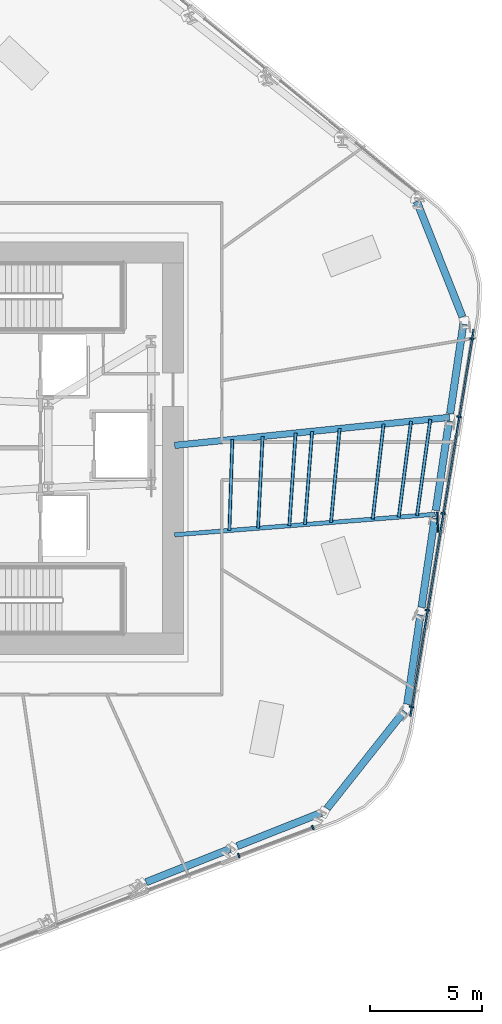
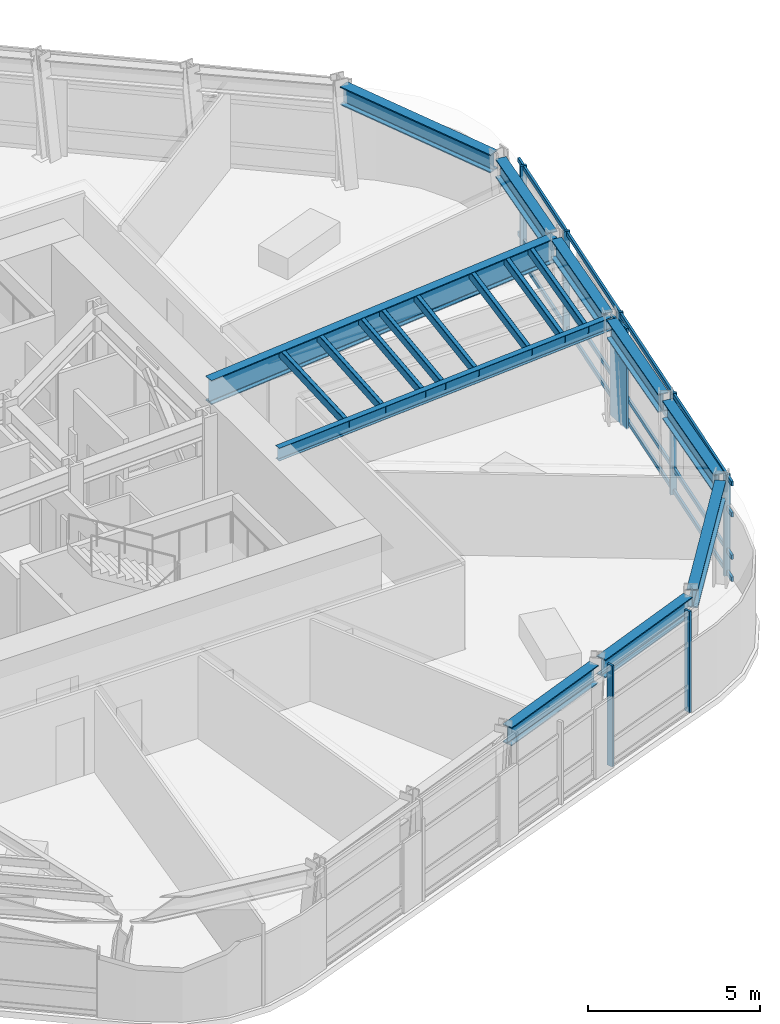
# One storey, part 5 of 18: 20 members, 10 beams, 2 elements without a shape of their own.
"""IFC4 building model written with IfcOpenShell, lengths in metres."""

import ifcopenshell
import ifcopenshell.guid

model = None  # the IFC model being written
_history = None  # IfcOwnerHistory: only IFC2X3 demands one
_inside = {}  # id of a spatial element -> (the spatial element, [elements in it])
_under = {}  # id of a project, library or spatial element -> (it, [spatial elements below it])
_declared = {}  # id of a project -> (the project, [libraries it declares])
_typed = {}  # id of a type object -> (the type object, [elements of that type])
_made_of = {}  # id of a material, layer set ... -> (it, [elements and type objects made of it])


def new_model(schema):
    """Start an empty IFC model of exactly this schema.

    Asked for "IFC4X3", IfcOpenShell would pick the latest addendum, in which some entities
    have other attributes; the version numbers below select the first issue.
    IFC2X3 requires an IfcOwnerHistory on every rooted entity: one is made here for all.
    """
    global model, _history
    if schema == "IFC4X3":
        model = ifcopenshell.file(schema_version=(4, 3, 0, 0))
    else:
        model = ifcopenshell.file(schema=schema)
    _inside.clear()
    _under.clear()
    _declared.clear()
    _typed.clear()
    _made_of.clear()
    _history = None
    if model.schema == "IFC2X3":
        org = make("IfcOrganization", Name="unknown")
        user = make(
            "IfcPersonAndOrganization",
            ThePerson=make("IfcPerson", FamilyName="unknown"),
            TheOrganization=org,
        )
        app = make(
            "IfcApplication",
            ApplicationDeveloper=org,
            Version="unknown",
            ApplicationFullName="unknown",
            ApplicationIdentifier="unknown",
        )
        _history = make(
            "IfcOwnerHistory",
            OwningUser=user,
            OwningApplication=app,
            ChangeAction="ADDED",
            CreationDate=0,
        )
    return model


def make(cls, **values):
    """One entity of the class cls with the attributes given. An attribute that is None is left unset."""
    return model.create_entity(
        cls, **{name: value for name, value in values.items() if value is not None}
    )


def rooted(cls, **values):
    """An entity with a GlobalId (a new one), such as an element, a storey or a relation."""
    return make(cls, GlobalId=ifcopenshell.guid.new(), OwnerHistory=_history, **values)


def si_unit(unit_type, name, prefix=None):
    """IfcSIUnit, for example si_unit("LENGTHUNIT", "METRE", prefix="MILLI")."""
    return make("IfcSIUnit", UnitType=unit_type, Prefix=prefix, Name=name)


def assignment(units):
    """IfcUnitAssignment: the units of a project."""
    return None if units is None else make("IfcUnitAssignment", Units=units)


def point(xyz):
    """IfcCartesianPoint."""
    return None if xyz is None else make("IfcCartesianPoint", Coordinates=xyz)


def direction(xyz):
    """IfcDirection."""
    return None if xyz is None else make("IfcDirection", DirectionRatios=xyz)


def frame(location, z_axis=None, x_axis=None):
    """IfcAxis2Placement3D, a coordinate frame: its origin and axes. An axis left out is left unset."""
    return make(
        "IfcAxis2Placement3D",
        Location=point(location),
        Axis=direction(z_axis),
        RefDirection=direction(x_axis),
    )


def frame_2d(location, x_axis=None):
    """IfcAxis2Placement2D, a coordinate frame in the plane: its origin and x axis."""
    return make(
        "IfcAxis2Placement2D", Location=point(location), RefDirection=direction(x_axis)
    )


def origin():
    """The frame at (0, 0, 0) with its axes left unset."""
    return frame((0.0, 0.0, 0.0))


def origin_2d():
    """The frame at (0, 0) in the plane with its x axis left unset."""
    return frame_2d((0.0, 0.0))


def place(relative_to, where):
    """IfcLocalPlacement: puts the frame where relative to a parent placement (None: the world)."""
    return make(
        "IfcLocalPlacement", PlacementRelTo=relative_to, RelativePlacement=where
    )


def context(
    kind, dimensions, precision=None, world=None, true_north=None, identifier=None
):
    """IfcGeometricRepresentationContext, for example the 3D "Model" context."""
    return make(
        "IfcGeometricRepresentationContext",
        ContextIdentifier=identifier,
        ContextType=kind,
        CoordinateSpaceDimension=dimensions,
        Precision=precision,
        WorldCoordinateSystem=world,
        TrueNorth=true_north,
    )


def subcontext(parent, identifier, kind, view, scale=None):
    """IfcGeometricRepresentationSubContext, for example "Body" below "Model"."""
    return make(
        "IfcGeometricRepresentationSubContext",
        ContextIdentifier=identifier,
        ContextType=kind,
        ParentContext=parent,
        TargetScale=scale,
        TargetView=view,
    )


def project(units=None, contexts=None):
    """IfcProject with its units and contexts."""
    return rooted(
        "IfcProject",
        Name="project",
        RepresentationContexts=contexts,
        UnitsInContext=assignment(units),
    )


def spatial(cls, under=None, at=None, **own):
    """A site, building, storey or space (cls), placed at a placement, below another one or the project."""
    s = rooted(cls, ObjectPlacement=at, **own)
    if under is not None:
        _under.setdefault(under.id(), (under, []))[1].append(s)
    return s


def profile(cls, at=None, kind="AREA", **sizes):
    """A parametric profile (cls). Its sizes go by their IFC names, for example OverallWidth=200.0."""
    return make(cls, ProfileType=kind, Position=at, **sizes)


def rectangle(**sizes):
    """IfcRectangleProfileDef."""
    return profile("IfcRectangleProfileDef", **sizes)


def hollow_rectangle(**sizes):
    """IfcRectangleHollowProfileDef."""
    return profile("IfcRectangleHollowProfileDef", **sizes)


def i_section(**sizes):
    """IfcIShapeProfileDef."""
    return profile("IfcIShapeProfileDef", **sizes)


def extrude(swept, where, along, depth):
    """IfcExtrudedAreaSolid: the profile swept, set in the frame where, extruded along a direction by depth."""
    return make(
        "IfcExtrudedAreaSolid",
        SweptArea=swept,
        Position=where,
        ExtrudedDirection=direction(along),
        Depth=depth,
    )


def shape(context_of_items, identifier, shape_type, items):
    """IfcShapeRepresentation: the items that make up one representation, for example the "Body"."""
    return make(
        "IfcShapeRepresentation",
        ContextOfItems=context_of_items,
        RepresentationIdentifier=identifier,
        RepresentationType=shape_type,
        Items=items,
    )


def material(Name=None, Category=None):
    """IfcMaterial."""
    return make("IfcMaterial", Name=Name, Category=Category)


def layer(
    of_material, thickness, ventilated=None, Name=None, Category=None, Priority=None
):
    """IfcMaterialLayer: one layer of a wall or slab, of a material (None: an air gap)."""
    return make(
        "IfcMaterialLayer",
        Material=of_material,
        LayerThickness=thickness,
        IsVentilated=ventilated,
        Name=Name,
        Category=Category,
        Priority=Priority,
    )


def layer_set(layers, Name=None):
    """IfcMaterialLayerSet."""
    return make("IfcMaterialLayerSet", MaterialLayers=layers, LayerSetName=Name)


def material_profile(
    of_material, cross_section, Name=None, Category=None, Priority=None
):
    """IfcMaterialProfile: a cross section and its material."""
    return make(
        "IfcMaterialProfile",
        Name=Name,
        Material=of_material,
        Profile=cross_section,
        Priority=Priority,
        Category=Category,
    )


def profile_set(profiles, Name=None, composite=None):
    """IfcMaterialProfileSet."""
    return make(
        "IfcMaterialProfileSet",
        Name=Name,
        MaterialProfiles=profiles,
        CompositeProfile=composite,
    )


def made_of(thing, what):
    """Note that an element or type object is made of a material, layer set ...; save() writes the relation."""
    if what is not None:
        _made_of.setdefault(what.id(), (what, []))[1].append(thing)
    return thing


def type_object(cls, material=None, **own):
    """A type object (cls), such as IfcWallType, which elements share."""
    return made_of(rooted(cls, **own), material)


def element(
    cls,
    number,
    at=None,
    inside=None,
    cuts=None,
    type_object=None,
    material=None,
    context=None,
    identifier="Body",
    shape_type=None,
    held_by="IfcProductDefinitionShape",
    body=None,
    shapes=None,
    **own,
):
    """One element of the class cls, such as IfcWall. Its Tag is "e" and its number.

    at: its placement. inside: the storey or other place that contains it. cuts: it is an
    opening in that element (IfcRelVoidsElement). A single representation is given by context,
    identifier, shape_type and body (its items); several are given by shapes. held_by: the class
    of the entity that holds the representations. save() writes the other relations.
    """
    e = rooted(cls, Tag="e%d" % number, ObjectPlacement=at, **own)
    if body is not None:
        shapes = [shape(context, identifier, shape_type, body)]
    if shapes is not None:
        e.Representation = make(held_by, Representations=shapes)
    if inside is not None:
        _inside.setdefault(inside.id(), (inside, []))[1].append(e)
    if cuts is not None:
        rooted(
            "IfcRelVoidsElement", RelatingBuildingElement=cuts, RelatedOpeningElement=e
        )
    if type_object is not None:
        _typed.setdefault(type_object.id(), (type_object, []))[1].append(e)
    return made_of(e, material)


def aggregate(whole, parts):
    """IfcRelAggregates: a whole, such as a stair, and the parts it consists of."""
    return rooted("IfcRelAggregates", RelatingObject=whole, RelatedObjects=parts)


def save(model, path):
    """Write the relations noted so far, then the file.

    IfcRelAggregates (storeys below a building ...), IfcRelContainedInSpatialStructure (elements
    in a storey), IfcRelDefinesByType, IfcRelAssociatesMaterial and IfcRelDeclares: one each for
    every whole, place, type object, material and project.
    """
    for whole, parts in _under.values():
        aggregate(whole, parts)
    for where, things in _inside.values():
        rooted(
            "IfcRelContainedInSpatialStructure",
            RelatedElements=things,
            RelatingStructure=where,
        )
    for kind, things in _typed.values():
        rooted("IfcRelDefinesByType", RelatedObjects=things, RelatingType=kind)
    for what, things in _made_of.values():
        rooted("IfcRelAssociatesMaterial", RelatedObjects=things, RelatingMaterial=what)
    for by, libraries in _declared.values():
        rooted("IfcRelDeclares", RelatingContext=by, RelatedDefinitions=libraries)
    model.write(path)


model = new_model("IFC4")

# Units and contexts
model_context = context("Model", 3, precision=1e-05, world=origin(), true_north=direction((0.0, 1.0)))
body_context = subcontext(model_context, "Body", "Model", "MODEL_VIEW")
ifc_project = project(units=[si_unit("LENGTHUNIT", "METRE"), si_unit("AREAUNIT", "SQUARE_METRE"), si_unit("VOLUMEUNIT", "CUBIC_METRE"), si_unit("PLANEANGLEUNIT", "RADIAN"), si_unit("MASSUNIT", "GRAM", prefix="KILO")], contexts=[model_context])

# Site, building, storey
site_placement = place(None, origin())
site = spatial("IfcSite", under=ifc_project, at=site_placement, CompositionType="ELEMENT")
building_placement = place(site_placement, origin())
building = spatial("IfcBuilding", under=site, at=building_placement, Name="Valkerne Bourse Tower", CompositionType="ELEMENT")
storey_placement = place(building_placement, frame((0.0, 0.0, 112.39990234375)))
storey = spatial("IfcBuildingStorey", under=building, at=storey_placement, Name="L28", CompositionType="ELEMENT", Elevation=112.39990234375)

# Beams
ifc_material_1 = material(Name="Steel ASTM A992", Category="steel")
ifc_material_profile_1 = material_profile(ifc_material_1, i_section(OverallWidth=0.1904296875, OverallDepth=0.457275390625, WebThickness=0.009033203125, FlangeThickness=0.014404296875, FilletRadius=0.01513671875, at=origin_2d()), Name="W18X50")
ifc_profile_set_1 = profile_set([ifc_material_profile_1], Name="Steel ASTM A992")
beam_type_1 = type_object("IfcBeamType", Name="BM-W18X50", PredefinedType="JOIST", material=ifc_profile_set_1)
beam_1_placement = place(storey_placement, frame((67.66162109375, 23.91943359375, 3.3515625), z_axis=(-0.996906330635, -0.078598778235, 0.0), x_axis=(0.078598778235, -0.996906330635, 0.0)))
element("IfcBeam", 1, at=beam_1_placement, inside=storey, type_object=beam_type_1, Name="L28 Radial Composite Floor Beam 27", PredefinedType="JOIST", context=body_context, shape_type="SweptSolid", body=[
    extrude(i_section(OverallWidth=0.1904296875, OverallDepth=0.457275390625, WebThickness=0.009033203125, FlangeThickness=0.014404296875, FilletRadius=0.01513671875, at=origin_2d()), origin(), (0.0, 0.0, 1.0), 11.69775390625),
])
ifc_material_profile_2 = material_profile(ifc_material_1, i_section(OverallWidth=0.330078125, OverallDepth=0.647705078125, WebThickness=0.0205078125, FlangeThickness=0.037109375, FilletRadius=0.020263671875, at=origin_2d()), Name="W24X192")
ifc_profile_set_2 = profile_set([ifc_material_profile_2], Name="Steel ASTM A992")
beam_type_2 = type_object("IfcBeamType", Name="BM-W24X192", PredefinedType="SPANDREL", material=ifc_profile_set_2)
for number, where, z_axis, x_axis, name in (
    (2, (54.720947265625, 7.455810546875, 3.25634765625), (0.929778626164, 0.368119146918, 0.0), (-0.368119146918, 0.929778626164, 0.0), "L28 Hexagonal Spandrel Ring Beam 22"),
    (3, (58.796142578125, 9.069091796875, 3.25634765625), (0.929757956542, 0.368171349031, 0.0), (-0.368171349031, 0.929757956542, 0.0), "L28 Hexagonal Spandrel Ring Beam 23"),
):
    element("IfcBeam", number, at=place(storey_placement, frame(where, z_axis=z_axis, x_axis=x_axis)), inside=storey, type_object=beam_type_2, Name=name, PredefinedType="SPANDREL", context=body_context, shape_type="SweptSolid", body=[
        extrude(i_section(OverallWidth=0.330078125, OverallDepth=0.647705078125, WebThickness=0.0205078125, FlangeThickness=0.037109375, FilletRadius=0.020263671875, at=origin_2d()), origin(), (0.0, 0.0, 1.0), 4.04296875),
    ])
beam_2_placement = place(storey_placement, frame((62.81884765625, 10.75341796875, 3.25634765625), z_axis=(0.621168077408, 0.783677369591, 0.0), x_axis=(-0.783677369591, 0.621168077408, 0.0)))
element("IfcBeam", 4, at=beam_2_placement, inside=storey, type_object=beam_type_2, Name="L28 Hexagonal Spandrel Ring Beam 24", PredefinedType="SPANDREL", context=body_context, shape_type="SweptSolid", body=[
    extrude(i_section(OverallWidth=0.330078125, OverallDepth=0.647705078125, WebThickness=0.0205078125, FlangeThickness=0.037109375, FilletRadius=0.020263671875, at=origin_2d()), origin(), (0.0, 0.0, 1.0), 5.564697265625),
])
for number, where, z_axis, x_axis, name in (
    (5, (66.40576171875, 15.415771484375, 3.25634765625), (0.146078105957, 0.989273059858, 0.0), (-0.989273059858, 0.146078105957, 0.0), "L28 Hexagonal Spandrel Ring Beam 25"),
    (6, (67.0458984375, 19.751708984375, 3.25634765625), (0.146137204379, 0.989264331459, 0.0), (-0.989264331459, 0.146137204379, 0.0), "L28 Hexagonal Spandrel Ring Beam 26"),
    (7, (67.686279296875, 24.087646484375, 3.25634765625), (0.146137204379, 0.989264331459, 0.0), (-0.989264331459, 0.146137204379, 0.0), "L28 Hexagonal Spandrel Ring Beam 27"),
    (8, (68.32666015625, 28.423583984375, 3.25634765625), (0.146078105957, 0.989273059858, 0.0), (-0.989273059858, 0.146078105957, 0.0), "L28 Hexagonal Spandrel Ring Beam 28"),
):
    element("IfcBeam", number, at=place(storey_placement, frame(where, z_axis=z_axis, x_axis=x_axis)), inside=storey, type_object=beam_type_2, Name=name, PredefinedType="SPANDREL", context=body_context, shape_type="SweptSolid", body=[
        extrude(i_section(OverallWidth=0.330078125, OverallDepth=0.647705078125, WebThickness=0.0205078125, FlangeThickness=0.037109375, FilletRadius=0.020263671875, at=origin_2d()), origin(), (0.0, 0.0, 1.0), 4.04296875),
    ])
beam_3_placement = place(storey_placement, frame((68.87939453125, 32.74951171875, 3.25634765625), z_axis=(-0.368120363882, 0.929778144342, 0.0), x_axis=(-0.929778144342, -0.368120363882, 0.0)))
element("IfcBeam", 9, at=beam_3_placement, inside=storey, type_object=beam_type_2, Name="L28 Hexagonal Spandrel Ring Beam 29", PredefinedType="SPANDREL", context=body_context, shape_type="SweptSolid", body=[
    extrude(i_section(OverallWidth=0.330078125, OverallDepth=0.647705078125, WebThickness=0.0205078125, FlangeThickness=0.037109375, FilletRadius=0.020263671875, at=origin_2d()), origin(), (0.0, 0.0, 1.0), 5.564208984375),
])
ifc_material_profile_3 = material_profile(ifc_material_1, i_section(OverallWidth=0.2919921875, OverallDepth=0.8583984375, WebThickness=0.01708984375, FlangeThickness=0.031005859375, FilletRadius=0.025390625, at=origin_2d()), Name="W33X169")
ifc_profile_set_3 = profile_set([ifc_material_profile_3], Name="Steel ASTM A992")
beam_type_3 = type_object("IfcBeamType", Name="BM-W33X169", PredefinedType="BEAM", material=ifc_profile_set_3)
beam_4_placement = place(storey_placement, frame((68.3017578125, 28.25537109375, 3.15087890625), z_axis=(-0.99483341006, -0.101520865971, 0.0), x_axis=(0.101520865971, -0.99483341006, 0.0)))
element("IfcBeam", 10, at=beam_4_placement, inside=storey, type_object=beam_type_3, Name="L28 Radial Composite Floor Beam 28", PredefinedType="BEAM", context=body_context, shape_type="SweptSolid", body=[
    extrude(i_section(OverallWidth=0.2919921875, OverallDepth=0.8583984375, WebThickness=0.01708984375, FlangeThickness=0.031005859375, FilletRadius=0.025390625, at=origin_2d()), origin(), (0.0, 0.0, 1.0), 12.36572265625),
])

# Curtain wall, members
ifc_material_2 = material(Name="Aluminium AA 6063-T6", Category="aluminium")
ifc_layer = layer(ifc_material_2, 0.22998046875)
ifc_layer_set = layer_set([ifc_layer], Name="Aluminium AA 6063-T6")
curtain_wall_type = type_object("IfcCurtainWallType", Name="CW-02", PredefinedType="NOTDEFINED", material=ifc_layer_set)
curtain_wall_1_placement = place(storey_placement, origin())
curtain_wall_1 = element("IfcCurtainWall", 11, at=curtain_wall_1_placement, inside=storey, type_object=curtain_wall_type, Name="L28 Hexagonal Stick Curtain Wall Face 5", PredefinedType="NOTDEFINED")
ifc_material_profile_4 = material_profile(ifc_material_2, rectangle(XDim=0.074951171875, YDim=0.199951171875, at=origin_2d()), Name="CWM-75X200")
ifc_profile_set_4 = profile_set([ifc_material_profile_4], Name="Aluminium AA 6063-T6")
member_type_1 = type_object("IfcMemberType", Name="CW-MUL-220X75", PredefinedType="MULLION", material=ifc_profile_set_4)
member_1_placement = place(storey_placement, frame((58.8671875, 8.6533203125, 0.0), z_axis=(0.0, 0.0, 1.0), x_axis=(0.935443931634, 0.353475106294, 0.0)))
member_1 = element("IfcMember", 12, at=member_1_placement, type_object=member_type_1, Name="CW-L28-F5 Jamb Mullion 03A", PredefinedType="MULLION", context=body_context, shape_type="SweptSolid", body=[
    extrude(rectangle(XDim=0.074951171875, YDim=0.199951171875, at=origin_2d()), origin(), (0.0, 0.0, 1.0), 3.580078125),
])
member_2_placement = place(storey_placement, frame((62.181396484375, 9.90576171875, 0.0), z_axis=(0.0, 0.0, 1.0), x_axis=(0.935443931634, 0.353475106294, 0.0)))
member_2 = element("IfcMember", 13, at=member_2_placement, type_object=member_type_1, Name="CW-L28-F5 Jamb Mullion 03B", PredefinedType="MULLION", context=body_context, shape_type="SweptSolid", body=[
    extrude(rectangle(XDim=0.074951171875, YDim=0.199951171875, at=origin_2d()), origin(), (0.0, 0.0, 1.0), 3.580078125),
])
aggregate(curtain_wall_1, [member_1, member_2])

curtain_wall_2_placement = place(storey_placement, origin())
curtain_wall_2 = element("IfcCurtainWall", 14, at=curtain_wall_2_placement, inside=storey, type_object=curtain_wall_type, Name="L28 Hexagonal Stick Curtain Wall Face 6", PredefinedType="NOTDEFINED")
member_3_placement = place(storey_placement, frame((66.597412109375, 15.30078125, 0.0), z_axis=(0.0, 0.0, 1.0), x_axis=(0.16160128499, 0.986856131708, 0.0)))
member_3 = element("IfcMember", 15, at=member_3_placement, type_object=member_type_1, Name="CW-L28-F6 Jamb Mullion 00A", PredefinedType="MULLION", context=body_context, shape_type="SweptSolid", body=[
    extrude(rectangle(XDim=0.074951171875, YDim=0.199951171875, at=origin_2d()), origin(), (0.0, 0.0, 1.0), 3.580078125),
])
member_4_placement = place(storey_placement, frame((67.3056640625, 19.626220703125, 0.0), z_axis=(0.0, 0.0, 1.0), x_axis=(0.161604923604, 0.986855535865, 0.0)))
member_4 = element("IfcMember", 16, at=member_4_placement, type_object=member_type_1, Name="CW-L28-F6 Jamb Mullion 01A", PredefinedType="MULLION", context=body_context, shape_type="SweptSolid", body=[
    extrude(rectangle(XDim=0.074951171875, YDim=0.199951171875, at=origin_2d()), origin(), (0.0, 0.0, 1.0), 3.580078125),
])
member_5_placement = place(storey_placement, frame((68.013916015625, 23.95166015625, 0.0), z_axis=(0.0, 0.0, 1.0), x_axis=(0.16160128499, 0.986856131708, 0.0)))
member_5 = element("IfcMember", 17, at=member_5_placement, type_object=member_type_1, Name="CW-L28-F6 Jamb Mullion 02A", PredefinedType="MULLION", context=body_context, shape_type="SweptSolid", body=[
    extrude(rectangle(XDim=0.074951171875, YDim=0.199951171875, at=origin_2d()), origin(), (0.0, 0.0, 1.0), 3.580078125),
])
member_6_placement = place(storey_placement, frame((68.72216796875, 28.277099609375, 0.0), z_axis=(0.0, 0.0, 1.0), x_axis=(0.16162350442, 0.986852492939, 0.0)))
member_6 = element("IfcMember", 18, at=member_6_placement, type_object=member_type_1, Name="CW-L28-F6 Jamb Mullion 03A", PredefinedType="MULLION", context=body_context, shape_type="SweptSolid", body=[
    extrude(rectangle(XDim=0.074951171875, YDim=0.199951171875, at=origin_2d()), origin(), (0.0, 0.0, 1.0), 3.580078125),
])
member_7_placement = place(storey_placement, frame((69.294921875, 31.7734375, 0.0), z_axis=(0.0, 0.0, 1.0), x_axis=(0.16162350442, 0.986852492939, 0.0)))
member_7 = element("IfcMember", 19, at=member_7_placement, type_object=member_type_1, Name="CW-L28-F6 Jamb Mullion 03B", PredefinedType="MULLION", context=body_context, shape_type="SweptSolid", body=[
    extrude(rectangle(XDim=0.074951171875, YDim=0.199951171875, at=origin_2d()), origin(), (0.0, 0.0, 1.0), 3.580078125),
])
ifc_material_profile_5 = material_profile(ifc_material_2, rectangle(XDim=0.074951171875, YDim=0.14990234375, at=origin_2d()), Name="CWT-75X150")
ifc_profile_set_5 = profile_set([ifc_material_profile_5], Name="Aluminium AA 6063-T6")
member_type_2 = type_object("IfcMemberType", Name="CW-TRN-180X65", PredefinedType="USERDEFINED", material=ifc_profile_set_5)
member_8_placement = place(storey_placement, frame((66.54931640625, 14.88330078125, 0.1201171875), z_axis=(0.16160495621, 0.986855530525, 0.0), x_axis=(-0.986855530525, 0.16160495621, 0.0)))
member_8 = element("IfcMember", 20, at=member_8_placement, type_object=member_type_2, Name="CW-L28-F6 Continuous Face Transom 1", ObjectType="TRANSOM", PredefinedType="USERDEFINED", context=body_context, shape_type="SweptSolid", body=[
    extrude(rectangle(XDim=0.074951171875, YDim=0.14990234375, at=origin_2d()), origin(), (0.0, 0.0, 1.0), 17.531982421875),
])
member_9_placement = place(storey_placement, frame((66.54931640625, 14.88330078125, 0.900146484375), z_axis=(0.16160495621, 0.986855530525, 0.0), x_axis=(-0.986855530525, 0.16160495621, 0.0)))
member_9 = element("IfcMember", 21, at=member_9_placement, type_object=member_type_2, Name="CW-L28-F6 Continuous Face Transom 2", ObjectType="TRANSOM", PredefinedType="USERDEFINED", context=body_context, shape_type="SweptSolid", body=[
    extrude(rectangle(XDim=0.074951171875, YDim=0.14990234375, at=origin_2d()), origin(), (0.0, 0.0, 1.0), 17.531982421875),
])
member_10_placement = place(storey_placement, frame((66.54931640625, 14.88330078125, 2.400146484375), z_axis=(0.16160495621, 0.986855530525, 0.0), x_axis=(-0.986855530525, 0.16160495621, 0.0)))
member_10 = element("IfcMember", 22, at=member_10_placement, type_object=member_type_2, Name="CW-L28-F6 Continuous Face Transom 3", ObjectType="TRANSOM", PredefinedType="USERDEFINED", context=body_context, shape_type="SweptSolid", body=[
    extrude(rectangle(XDim=0.074951171875, YDim=0.14990234375, at=origin_2d()), origin(), (0.0, 0.0, 1.0), 17.531982421875),
])
member_11_placement = place(storey_placement, frame((66.54931640625, 14.88330078125, 3.5), z_axis=(0.16160495621, 0.986855530525, 0.0), x_axis=(-0.986855530525, 0.16160495621, 0.0)))
member_11 = element("IfcMember", 23, at=member_11_placement, type_object=member_type_2, Name="CW-L28-F6 Continuous Face Transom 4", ObjectType="TRANSOM", PredefinedType="USERDEFINED", context=body_context, shape_type="SweptSolid", body=[
    extrude(rectangle(XDim=0.074951171875, YDim=0.14990234375, at=origin_2d()), origin(), (0.0, 0.0, 1.0), 17.531982421875),
])
aggregate(curtain_wall_2, [member_8, member_9, member_10, member_11, member_3, member_4, member_5, member_6, member_7])

# Members
ifc_material_3 = material(Name="Bronze Anodised Aluminium AA 6063-T6", Category="aluminium")
ifc_material_profile_6 = material_profile(ifc_material_3, rectangle(XDim=0.070068359375, YDim=0.89990234375, at=origin_2d()), Name="FIN-70X900")
ifc_profile_set_6 = profile_set([ifc_material_profile_6], Name="Bronze Anodised Aluminium AA 6063-T6")
member_type_3 = type_object("IfcMemberType", Name="FIN-SOLAR-900", PredefinedType="USERDEFINED", material=ifc_profile_set_6)
member_12_placement = place(storey_placement, frame((67.768310546875, 23.566162109375, 0.004150390625), z_axis=(0.0, 0.0, 1.0), x_axis=(0.999062420771, 0.043292948651, 0.0)))
element("IfcMember", 24, at=member_12_placement, inside=storey, type_object=member_type_3, Name="L28 Bronze Anodised Solar Fin F6-02", ObjectType="SOLAR_FIN", PredefinedType="USERDEFINED", context=body_context, shape_type="SweptSolid", body=[
    extrude(rectangle(XDim=0.070068359375, YDim=0.89990234375, at=origin_2d()), origin(), (0.0, 0.0, 1.0), 3.572021484375),
])
ifc_material_4 = material(Name="Steel ASTM A500 Grade C", Category="steel")
ifc_material_profile_7 = material_profile(ifc_material_4, hollow_rectangle(XDim=0.14990234375, YDim=0.300048828125, WallThickness=0.012451171875, OuterFilletRadius=0.02490234375, at=origin_2d()), Name="HSS300X150X12.5")
ifc_profile_set_7 = profile_set([ifc_material_profile_7], Name="Steel ASTM A500 Grade C")
member_type_4 = type_object("IfcMemberType", Name="MBR-HSS300X150X12.5", PredefinedType="PURLIN", material=ifc_profile_set_7)
member_13_placement = place(storey_placement, frame((59.731689453125, 23.294189453125, 3.420166015625), z_axis=(0.04980733894, 0.99875884426, 0.0), x_axis=(-0.99875884426, 0.04980733894, 0.0)))
element("IfcMember", 25, at=member_13_placement, inside=storey, type_object=member_type_4, Name="L28 Secondary Composite Floor Purlin I-27", PredefinedType="PURLIN", context=body_context, shape_type="SweptSolid", body=[
    extrude(hollow_rectangle(XDim=0.14990234375, YDim=0.300048828125, WallThickness=0.012451171875, OuterFilletRadius=0.02490234375, at=origin_2d()), origin(), (0.0, 0.0, 1.0), 4.112548828125),
])
member_14_placement = place(storey_placement, frame((61.131103515625, 23.404541015625, 3.420166015625), z_axis=(0.067766169543, 0.997701230963, 0.0), x_axis=(-0.997701230963, 0.067766169543, 0.0)))
element("IfcMember", 26, at=member_14_placement, inside=storey, type_object=member_type_4, Name="L28 Secondary Composite Floor Purlin K-27", PredefinedType="PURLIN", context=body_context, shape_type="SweptSolid", body=[
    extrude(hollow_rectangle(XDim=0.14990234375, YDim=0.300048828125, WallThickness=0.012451171875, OuterFilletRadius=0.02490234375, at=origin_2d()), origin(), (0.0, 0.0, 1.0), 4.157470703125),
])
member_15_placement = place(storey_placement, frame((61.830810546875, 23.459716796875, 3.420166015625), z_axis=(0.076566979902, 0.997064440038, 0.0), x_axis=(-0.997064440038, 0.076566979902, 0.0)))
element("IfcMember", 27, at=member_15_placement, inside=storey, type_object=member_type_4, Name="L28 Secondary Composite Floor Purlin M-27", PredefinedType="PURLIN", context=body_context, shape_type="SweptSolid", body=[
    extrude(hollow_rectangle(XDim=0.14990234375, YDim=0.300048828125, WallThickness=0.012451171875, OuterFilletRadius=0.02490234375, at=origin_2d()), origin(), (0.0, 0.0, 1.0), 4.18017578125),
])
member_16_placement = place(storey_placement, frame((64.86279296875, 23.69873046875, 3.420166015625), z_axis=(0.113602857007, 0.99352624066, 0.0), x_axis=(-0.99352624066, 0.113602857007, 0.0)))
element("IfcMember", 28, at=member_16_placement, inside=storey, type_object=member_type_4, Name="L28 Secondary Composite Floor Purlin O-27", PredefinedType="PURLIN", context=body_context, shape_type="SweptSolid", body=[
    extrude(hollow_rectangle(XDim=0.14990234375, YDim=0.300048828125, WallThickness=0.012451171875, OuterFilletRadius=0.02490234375, at=origin_2d()), origin(), (0.0, 0.0, 1.0), 4.283203125),
])
member_17_placement = place(storey_placement, frame((62.996826171875, 23.551513671875, 3.420166015625), z_axis=(0.091078328517, 0.995843731754, 0.0), x_axis=(-0.995843731754, 0.091078328517, 0.0)))
element("IfcMember", 29, at=member_17_placement, inside=storey, type_object=member_type_4, Name="L28 Secondary Composite Floor Purlin Z-27", PredefinedType="PURLIN", context=body_context, shape_type="SweptSolid", body=[
    extrude(hollow_rectangle(XDim=0.14990234375, YDim=0.300048828125, WallThickness=0.012451171875, OuterFilletRadius=0.02490234375, at=origin_2d()), origin(), (0.0, 0.0, 1.0), 4.21923828125),
])
member_18_placement = place(storey_placement, frame((58.448974609375, 23.193115234375, 3.420166015625), z_axis=(0.033029410632, 0.999454380166, 0.0), x_axis=(-0.999454380166, 0.033029410632, 0.0)))
element("IfcMember", 30, at=member_18_placement, inside=storey, type_object=member_type_4, Name="L28 Secondary Composite Floor Purlin S-27", PredefinedType="PURLIN", context=body_context, shape_type="SweptSolid", body=[
    extrude(hollow_rectangle(XDim=0.14990234375, YDim=0.300048828125, WallThickness=0.012451171875, OuterFilletRadius=0.02490234375, at=origin_2d()), origin(), (0.0, 0.0, 1.0), 4.07275390625),
])
member_19_placement = place(storey_placement, frame((66.02880859375, 23.790771484375, 3.420166015625), z_axis=(0.12737653572, 0.991854433951, 0.0), x_axis=(-0.991854433951, 0.12737653572, 0.0)))
element("IfcMember", 31, at=member_19_placement, inside=storey, type_object=member_type_4, Name="L28 Secondary Composite Floor Purlin T-27", PredefinedType="PURLIN", context=body_context, shape_type="SweptSolid", body=[
    extrude(hollow_rectangle(XDim=0.14990234375, YDim=0.300048828125, WallThickness=0.012451171875, OuterFilletRadius=0.02490234375, at=origin_2d()), origin(), (0.0, 0.0, 1.0), 4.323974609375),
])
member_20_placement = place(storey_placement, frame((66.84521484375, 23.85498046875, 3.420166015625), z_axis=(0.136779723075, 0.990601487661, 0.0), x_axis=(-0.990601487661, 0.136779723075, 0.0)))
element("IfcMember", 32, at=member_20_placement, inside=storey, type_object=member_type_4, Name="L28 Secondary Composite Floor Purlin U-27", PredefinedType="PURLIN", context=body_context, shape_type="SweptSolid", body=[
    extrude(hollow_rectangle(XDim=0.14990234375, YDim=0.300048828125, WallThickness=0.012451171875, OuterFilletRadius=0.02490234375, at=origin_2d()), origin(), (0.0, 0.0, 1.0), 4.353515625),
])

save(model, "model.ifc")
